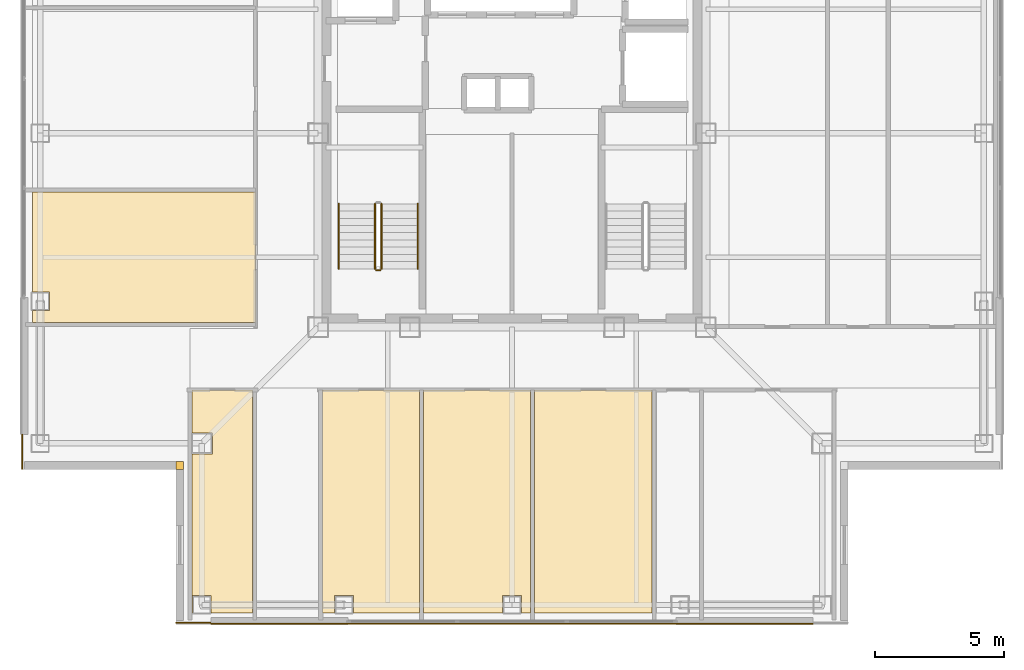
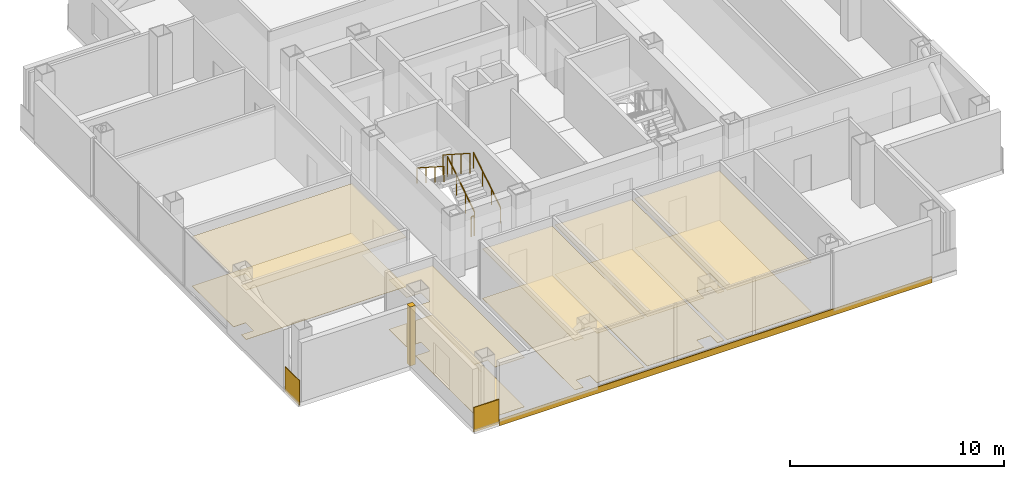
# One storey, part 11 of 16: 14 coverings, 5 railings.
"""IFC4 building model written with IfcOpenShell, lengths in metres."""

from ifc_helpers import new_model, si_unit, direction, frame, frame_2d, origin, origin_2d, place, context, subcontext, project, spatial, polyline, rectangle, circle, outline, extrude, material, layer, layer_set, type_object, element, save


model = new_model("IFC4")

# Units and contexts
model_context = context("Model", 3, precision=1e-05, world=origin(), true_north=direction((0.0, 1.0)))
body_context = subcontext(model_context, "Body", "Model", "MODEL_VIEW")
ifc_project = project(units=[si_unit("LENGTHUNIT", "METRE"), si_unit("AREAUNIT", "SQUARE_METRE"), si_unit("VOLUMEUNIT", "CUBIC_METRE"), si_unit("PLANEANGLEUNIT", "RADIAN"), si_unit("MASSUNIT", "GRAM", prefix="KILO")], contexts=[model_context])

# Site, building, storey
site_placement = place(None, origin())
site = spatial("IfcSite", under=ifc_project, at=site_placement, CompositionType="ELEMENT")
building_placement = place(site_placement, origin())
building = spatial("IfcBuilding", under=site, at=building_placement, Name="Trevonay Congress Spire", CompositionType="ELEMENT")
storey_placement = place(building_placement, frame((0.0, 0.0, 290.0)))
storey = spatial("IfcBuildingStorey", under=building, at=storey_placement, Name="L76", CompositionType="ELEMENT", Elevation=290.0)

# Coverings
ifc_material_1 = material(Name="Acoustic Mineral Fibre Board", Category="gypsum")
ifc_layer_1 = layer(ifc_material_1, 0.02490234375, Name="Acoustic Mineral Fibre Board")
ifc_layer_set_1 = layer_set([ifc_layer_1], Name="Acoustic Mineral Fibre Board")
covering_type_1 = type_object("IfcCoveringType", Name="COV-CEIL-ACOUSTIC", PredefinedType="CEILING", material=ifc_layer_set_1)
covering_1_placement = place(storey_placement, frame((0.0, 0.0, 2.81005859375)))
element("IfcCovering", 1, at=covering_1_placement, inside=storey, type_object=covering_type_1, Name="L76 Forum Director Corner Office acoustic suspended ceiling", PredefinedType="CEILING", context=body_context, shape_type="SweptSolid", body=[
    extrude(outline(polyline([(-12.3701171875, -18.550048828125), (-12.3701171875, -12.409912109375), (-11.590087890625, -12.409912109375), (-11.590087890625, -11.590087890625), (-12.3701171875, -11.590087890625), (-12.3701171875, -9.929931640625), (-10.030029296875, -9.929931640625), (-10.030029296875, -18.550048828125), (-11.639892578125, -18.550048828125), (-11.639892578125, -17.889892578125), (-12.360107421875, -17.889892578125), (-12.360107421875, -18.550048828125), (-12.3701171875, -18.550048828125)])), origin(), (0.0, 0.0, 1.0), 0.02490234375),
])
covering_2_placement = place(storey_placement, frame((0.0, 0.0, 2.81005859375)))
element("IfcCovering", 2, at=covering_2_placement, inside=storey, type_object=covering_type_1, Name="L76 Ocean Engineering Office 1 acoustic suspended ceiling", PredefinedType="CEILING", context=body_context, shape_type="SweptSolid", body=[
    extrude(outline(polyline([(-7.320068359375, -18.550048828125), (-7.320068359375, -9.929931640625), (-3.580078125, -9.929931640625), (-3.580078125, -18.550048828125), (-6.139892578125, -18.550048828125), (-6.139892578125, -17.889892578125), (-6.860107421875, -17.889892578125), (-6.860107421875, -18.550048828125), (-7.320068359375, -18.550048828125)])), origin(), (0.0, 0.0, 1.0), 0.02490234375),
])
covering_3_placement = place(storey_placement, frame((0.0, 0.0, 2.81005859375)))
element("IfcCovering", 3, at=covering_3_placement, inside=storey, type_object=covering_type_1, Name="L76 Naval Architecture Office 2 acoustic suspended ceiling", PredefinedType="CEILING", context=body_context, shape_type="SweptSolid", body=[
    extrude(outline(polyline([(-3.419921875, -18.550048828125), (-3.419921875, -9.929931640625), (0.719970703125, -9.929931640625), (0.719970703125, -18.550048828125), (0.360107421875, -18.550048828125), (0.360107421875, -17.889892578125), (-0.360107421875, -17.889892578125), (-0.360107421875, -18.550048828125), (-3.419921875, -18.550048828125)])), origin(), (0.0, 0.0, 1.0), 0.02490234375),
])
covering_4_placement = place(storey_placement, frame((0.0, 0.0, 2.81005859375)))
element("IfcCovering", 4, at=covering_4_placement, inside=storey, type_object=covering_type_1, Name="L76 Port Automation Office 3 acoustic suspended ceiling", PredefinedType="CEILING", context=body_context, shape_type="SweptSolid", body=[
    extrude(outline(polyline([(0.8798828125, -18.550048828125), (5.419921875, -18.550048828125), (5.419921875, -9.929931640625), (0.8798828125, -9.929931640625), (0.8798828125, -18.550048828125)])), origin(), (0.0, 0.0, 1.0), 0.02490234375),
])
covering_5_placement = place(storey_placement, frame((0.0, 0.0, 2.81005859375)))
element("IfcCovering", 5, at=covering_5_placement, inside=storey, type_object=covering_type_1, Name="L76 Symposium Seminar Room A acoustic suspended ceiling", PredefinedType="CEILING", context=body_context, shape_type="SweptSolid", body=[
    extrude(outline(polyline([(-18.550048828125, -2.280029296875), (-9.929931640625, -2.280029296875), (-9.929931640625, -7.320068359375), (-18.550048828125, -7.320068359375), (-18.550048828125, -6.860107421875), (-17.889892578125, -6.860107421875), (-17.889892578125, -6.139892578125), (-18.550048828125, -6.139892578125), (-18.550048828125, -2.280029296875)])), origin(), (0.0, 0.0, 1.0), 0.02490234375),
])
ifc_material_2 = material(Name="Engineered Oak Flooring", Category="wood")
ifc_layer_2 = layer(ifc_material_2, 0.01806640625, Name="Engineered Oak Flooring")
ifc_layer_set_2 = layer_set([ifc_layer_2], Name="Engineered Oak Flooring")
covering_type_2 = type_object("IfcCoveringType", Name="COV-FLOOR-TIMBER", PredefinedType="FLOORING", material=ifc_layer_set_2)
covering_6_placement = place(storey_placement, origin())
element("IfcCovering", 6, at=covering_6_placement, inside=storey, type_object=covering_type_2, Name="L76 Forum Director Corner Office floor finish", PredefinedType="FLOORING", context=body_context, shape_type="SweptSolid", body=[
    extrude(outline(polyline([(-12.3701171875, -18.550048828125), (-12.3701171875, -12.409912109375), (-11.590087890625, -12.409912109375), (-11.590087890625, -11.590087890625), (-12.3701171875, -11.590087890625), (-12.3701171875, -9.929931640625), (-10.030029296875, -9.929931640625), (-10.030029296875, -18.550048828125), (-11.639892578125, -18.550048828125), (-11.639892578125, -17.889892578125), (-12.360107421875, -17.889892578125), (-12.360107421875, -18.550048828125), (-12.3701171875, -18.550048828125)])), origin(), (0.0, 0.0, 1.0), 0.01806640625),
])
covering_7_placement = place(storey_placement, origin())
element("IfcCovering", 7, at=covering_7_placement, inside=storey, type_object=covering_type_2, Name="L76 Ocean Engineering Office 1 floor finish", PredefinedType="FLOORING", context=body_context, shape_type="SweptSolid", body=[
    extrude(outline(polyline([(-7.320068359375, -18.550048828125), (-7.320068359375, -9.929931640625), (-3.580078125, -9.929931640625), (-3.580078125, -18.550048828125), (-6.139892578125, -18.550048828125), (-6.139892578125, -17.889892578125), (-6.860107421875, -17.889892578125), (-6.860107421875, -18.550048828125), (-7.320068359375, -18.550048828125)])), origin(), (0.0, 0.0, 1.0), 0.01806640625),
])
covering_8_placement = place(storey_placement, origin())
element("IfcCovering", 8, at=covering_8_placement, inside=storey, type_object=covering_type_2, Name="L76 Naval Architecture Office 2 floor finish", PredefinedType="FLOORING", context=body_context, shape_type="SweptSolid", body=[
    extrude(outline(polyline([(-3.419921875, -18.550048828125), (-3.419921875, -9.929931640625), (0.719970703125, -9.929931640625), (0.719970703125, -18.550048828125), (0.360107421875, -18.550048828125), (0.360107421875, -17.889892578125), (-0.360107421875, -17.889892578125), (-0.360107421875, -18.550048828125), (-3.419921875, -18.550048828125)])), origin(), (0.0, 0.0, 1.0), 0.01806640625),
])
covering_9_placement = place(storey_placement, origin())
element("IfcCovering", 9, at=covering_9_placement, inside=storey, type_object=covering_type_2, Name="L76 Port Automation Office 3 floor finish", PredefinedType="FLOORING", context=body_context, shape_type="SweptSolid", body=[
    extrude(outline(polyline([(0.8798828125, -18.550048828125), (5.419921875, -18.550048828125), (5.419921875, -9.929931640625), (0.8798828125, -9.929931640625), (0.8798828125, -18.550048828125)])), origin(), (0.0, 0.0, 1.0), 0.01806640625),
])
covering_10_placement = place(storey_placement, origin())
element("IfcCovering", 10, at=covering_10_placement, inside=storey, type_object=covering_type_2, Name="L76 Symposium Seminar Room A floor finish", PredefinedType="FLOORING", context=body_context, shape_type="SweptSolid", body=[
    extrude(outline(polyline([(-18.550048828125, -2.280029296875), (-9.929931640625, -2.280029296875), (-9.929931640625, -7.320068359375), (-18.550048828125, -7.320068359375), (-18.550048828125, -6.860107421875), (-17.889892578125, -6.860107421875), (-17.889892578125, -6.139892578125), (-18.550048828125, -6.139892578125), (-18.550048828125, -2.280029296875)])), origin(), (0.0, 0.0, 1.0), 0.01806640625),
])
ifc_material_3 = material(Name="Pale Anodised Aluminium EN AW-6063-T6", Category="aluminium")
ifc_layer_3 = layer(ifc_material_3, 0.0400390625, Name="Pale Anodised Aluminium EN AW-6063-T6")
ifc_layer_set_3 = layer_set([ifc_layer_3], Name="Pale Anodised Aluminium EN AW-6063-T6")
covering_type_3 = type_object("IfcCoveringType", Name="COV-SPANDREL-PALE-METAL", PredefinedType="CLADDING", material=ifc_layer_set_3)
covering_11_placement = place(storey_placement, frame((-11.64990234375, -18.97998046875, -0.239990234375), z_axis=(0.0, 0.0, 1.0), x_axis=(1.0, 0.0, 0.0)))
element("IfcCovering", 11, at=covering_11_placement, inside=storey, type_object=covering_type_3, Name="L76 S pale-metal slab-edge spandrel cladding", PredefinedType="CLADDING", context=body_context, shape_type="SweptSolid", body=[
    extrude(rectangle(XDim=23.2998046875, YDim=0.0400390625, at=frame_2d((11.64990234375, 0.0))), origin(), (0.0, 0.0, 1.0), 0.360107421875),
])
covering_12_placement = place(storey_placement, origin())
element("IfcCovering", 12, at=covering_12_placement, inside=storey, type_object=covering_type_3, Name="L76 SW re-entrant notch corner closure trim", PredefinedType="CLADDING", context=body_context, shape_type="SweptSolid", body=[
    extrude(outline(polyline([(-13.0, -13.0), (-12.699951171875, -13.0), (-12.699951171875, -12.699951171875), (-13.0, -12.699951171875), (-13.0, -13.0)])), origin(), (0.0, 0.0, 1.0), 3.360107421875),
])
for number, where, z_axis, x_axis, name in (
    (13, (-18.93994140625, -11.64990234375, -0.14990234375), (0.0, 0.0, 1.0), (0.0, -1.0, 0.0), "L76 SW corner pier spandrel cladding 1"),
    (14, (-11.64990234375, -18.93994140625, -0.14990234375), (0.0, 0.0, 1.0), (-1.0, 0.0, 0.0), "L76 SW corner pier spandrel cladding 2"),
):
    element("IfcCovering", number, at=place(storey_placement, frame(where, z_axis=z_axis, x_axis=x_axis)), inside=storey, type_object=covering_type_3, Name=name, PredefinedType="CLADDING", context=body_context, shape_type="SweptSolid", body=[
        extrude(rectangle(XDim=1.35009765625, YDim=0.0400390625, at=frame_2d((0.675048828125, 0.0))), origin(), (0.0, 0.0, 1.0), 1.39990234375),
    ])

# Railings
railing_type_1 = type_object("IfcRailingType", Name="RAL-STAIR-GUARD-110", PredefinedType="GUARDRAIL", material=ifc_material_3)
railing_1_placement = place(storey_placement, frame((-5.050048828125, -5.25, 0.179931640625)))
element("IfcRailing", 15, at=railing_1_placement, inside=storey, type_object=railing_type_1, Name="L76 ST-1 stair guard 1", PredefinedType="GUARDRAIL", context=body_context, shape_type="SweptSolid", body=[
    extrude(circle(Radius=0.02392578125, at=origin_2d()), frame((0.0, 0.0, 1.1259765625), z_axis=(0.0, 0.841162588446, 0.540782303519), x_axis=(-1.0, 0.0, 0.0)), (0.0, 0.0, 1.0), 2.995849609375),
    extrude(circle(Radius=0.02099609375, at=origin_2d()), origin(), (0.0, 0.0, 1.0), 1.101806640625),
    extrude(circle(Radius=0.02099609375, at=origin_2d()), frame((0.0, 0.840087890625, 0.5400390625)), (0.0, 0.0, 1.0), 1.101806640625),
    extrude(circle(Radius=0.02099609375, at=origin_2d()), frame((0.0, 1.679931640625, 1.080078125)), (0.0, 0.0, 1.0), 1.101806640625),
    extrude(circle(Radius=0.02099609375, at=origin_2d()), frame((0.0, 2.52001953125, 1.6201171875)), (0.0, 0.0, 1.0), 1.101806640625),
])
railing_2_placement = place(storey_placement, frame((-5.300048828125, -2.72998046875, 1.97998046875)))
element("IfcRailing", 16, at=railing_2_placement, inside=storey, type_object=railing_type_1, Name="L76 ST-1 stair guard 3", PredefinedType="GUARDRAIL", context=body_context, shape_type="SweptSolid", body=[
    extrude(circle(Radius=0.02392578125, at=origin_2d()), frame((0.0, 0.0, 1.1259765625), z_axis=(0.0, -0.841162588446, 0.540782303519), x_axis=(1.0, 0.0, 0.0)), (0.0, 0.0, 1.0), 2.995849609375),
    extrude(circle(Radius=0.02099609375, at=origin_2d()), origin(), (0.0, 0.0, 1.0), 1.101806640625),
    extrude(circle(Radius=0.02099609375, at=origin_2d()), frame((0.0, -0.840087890625, 0.5400390625)), (0.0, 0.0, 1.0), 1.101806640625),
    extrude(circle(Radius=0.02099609375, at=origin_2d()), frame((0.0, -1.679931640625, 1.080078125)), (0.0, 0.0, 1.0), 1.101806640625),
    extrude(circle(Radius=0.02099609375, at=origin_2d()), frame((0.0, -2.52001953125, 1.6201171875)), (0.0, 0.0, 1.0), 1.101806640625),
])
railing_3_placement = place(storey_placement, frame((-5.10009765625, -5.300048828125, 0.0)))
element("IfcRailing", 17, at=railing_3_placement, inside=storey, type_object=railing_type_1, Name="L76 ST-1 stair guard 4", PredefinedType="GUARDRAIL", context=body_context, shape_type="SweptSolid", body=[
    extrude(circle(Radius=0.02392578125, at=origin_2d()), frame((0.0, 0.0, 1.1259765625), z_axis=(-1.0, 0.0, 0.0), x_axis=(0.0, -1.0, 0.0)), (0.0, 0.0, 1.0), 0.14990234375),
    extrude(circle(Radius=0.02099609375, at=origin_2d()), origin(), (0.0, 0.0, 1.0), 1.101806640625),
    extrude(circle(Radius=0.02099609375, at=origin_2d()), frame((-0.14990234375, 0.0, 0.0)), (0.0, 0.0, 1.0), 1.101806640625),
])
railing_type_2 = type_object("IfcRailingType", Name="RAL-STAIR-HANDRAIL", PredefinedType="HANDRAIL", material=ifc_material_3)
railing_4_placement = place(storey_placement, frame((-3.64990234375, -5.25, 0.179931640625)))
element("IfcRailing", 18, at=railing_4_placement, inside=storey, type_object=railing_type_2, Name="L76 ST-1 stair handrail 1", PredefinedType="HANDRAIL", context=body_context, shape_type="SweptSolid", body=[
    extrude(circle(Radius=0.02392578125, at=origin_2d()), frame((0.0, 0.0, 0.8759765625), z_axis=(0.0, 0.841162588446, 0.540782303519), x_axis=(-1.0, 0.0, 0.0)), (0.0, 0.0, 1.0), 2.995849609375),
    extrude(circle(Radius=0.02099609375, at=origin_2d()), origin(), (0.0, 0.0, 1.0), 0.851806640625),
    extrude(circle(Radius=0.02099609375, at=origin_2d()), frame((0.0, 0.840087890625, 0.5400390625)), (0.0, 0.0, 1.0), 0.851806640625),
    extrude(circle(Radius=0.02099609375, at=origin_2d()), frame((0.0, 1.679931640625, 1.080078125)), (0.0, 0.0, 1.0), 0.851806640625),
    extrude(circle(Radius=0.02099609375, at=origin_2d()), frame((0.0, 2.52001953125, 1.6201171875)), (0.0, 0.0, 1.0), 0.851806640625),
])
railing_5_placement = place(storey_placement, frame((-6.699951171875, -2.72998046875, 1.97998046875)))
element("IfcRailing", 19, at=railing_5_placement, inside=storey, type_object=railing_type_2, Name="L76 ST-1 stair handrail 2", PredefinedType="HANDRAIL", context=body_context, shape_type="SweptSolid", body=[
    extrude(circle(Radius=0.02392578125, at=origin_2d()), frame((0.0, 0.0, 0.8759765625), z_axis=(0.0, -0.841162588446, 0.540782303519), x_axis=(1.0, 0.0, 0.0)), (0.0, 0.0, 1.0), 2.995849609375),
    extrude(circle(Radius=0.02099609375, at=origin_2d()), origin(), (0.0, 0.0, 1.0), 0.851806640625),
    extrude(circle(Radius=0.02099609375, at=origin_2d()), frame((0.0, -0.840087890625, 0.5400390625)), (0.0, 0.0, 1.0), 0.851806640625),
    extrude(circle(Radius=0.02099609375, at=origin_2d()), frame((0.0, -1.679931640625, 1.080078125)), (0.0, 0.0, 1.0), 0.851806640625),
    extrude(circle(Radius=0.02099609375, at=origin_2d()), frame((0.0, -2.52001953125, 1.6201171875)), (0.0, 0.0, 1.0), 0.851806640625),
])

save(model, "model.ifc")
